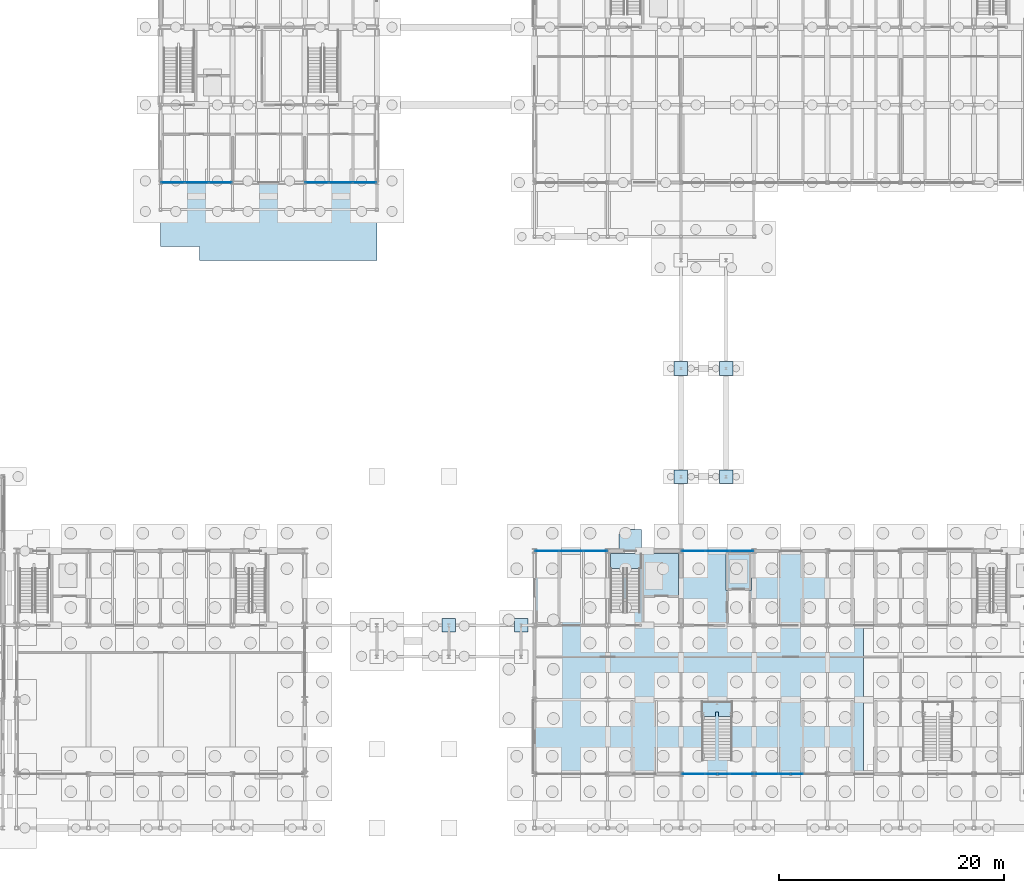
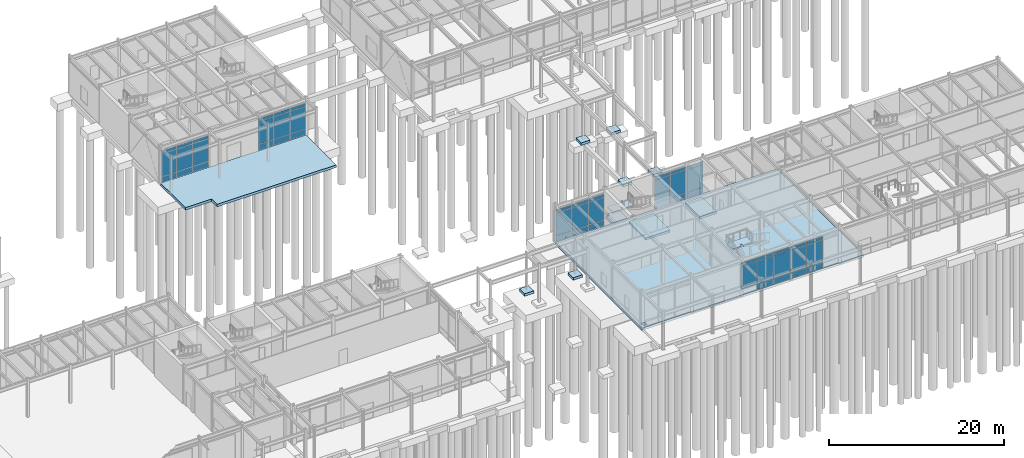
# One storey, part 51 of 82: 50 plates, 13 slabs, 8 elements without a shape of their own.
"""IFC4 building model written with IfcOpenShell, lengths in metres."""

from ifc_helpers import new_model, si_unit, direction, frame, origin, origin_2d, place, context, subcontext, project, spatial, polyline, rectangle, outline, extrude, material, layer, layer_set, type_object, element, aggregate, save


model = new_model("IFC4")

# Units and contexts
model_context = context("Model", 3, precision=1e-05, world=origin(), true_north=direction((0.0, 1.0)))
body_context = subcontext(model_context, "Body", "Model", "MODEL_VIEW")
ifc_project = project(units=[si_unit("LENGTHUNIT", "METRE"), si_unit("AREAUNIT", "SQUARE_METRE"), si_unit("VOLUMEUNIT", "CUBIC_METRE"), si_unit("PLANEANGLEUNIT", "RADIAN"), si_unit("MASSUNIT", "GRAM", prefix="KILO")], contexts=[model_context])

# Site, building, storey
site_placement = place(None, origin())
site = spatial("IfcSite", under=ifc_project, at=site_placement, CompositionType="ELEMENT")
building_placement = place(site_placement, origin())
building = spatial("IfcBuilding", under=site, at=building_placement, Name="Trelmorton Wharf Fire Station", CompositionType="ELEMENT")
storey_placement = place(building_placement, origin())
storey = spatial("IfcBuildingStorey", under=building, at=storey_placement, Name="L00", CompositionType="ELEMENT", Elevation=0.0)

# Curtain wall, plates
ifc_material_1 = material(Name="Anodised aluminium AW-6063", Category="aluminium")
ifc_layer_1 = layer(ifc_material_1, 0.175048828125)
ifc_layer_set_1 = layer_set([ifc_layer_1], Name="Anodised aluminium AW-6063")
curtain_wall_type_1 = type_object("IfcCurtainWallType", Name="CW_CHIC_B", PredefinedType="USERDEFINED", material=ifc_layer_set_1)
curtain_wall_1_placement = place(storey_placement, origin())
curtain_wall_1 = element("IfcCurtainWall", 1, at=curtain_wall_1_placement, inside=storey, type_object=curtain_wall_type_1, Name="CW-V5-L00-031", ObjectType="CHICAGO BAY CURTAIN WALL", PredefinedType="USERDEFINED")
ifc_material_2 = material(Name="Tempered low-E double glazing", Category="glass")
ifc_layer_2 = layer(ifc_material_2, 0.028076171875)
ifc_layer_set_2 = layer_set([ifc_layer_2], Name="Tempered low-E double glazing")
plate_type_1 = type_object("IfcPlateType", Name="CWP_GLAZ_28", PredefinedType="CURTAIN_PANEL", material=ifc_layer_set_2)
plate_1_placement = place(storey_placement, frame((126.75, 7.800048828125, 0.06005859375), z_axis=(0.0, 0.0, 1.0), x_axis=(-1.0, 0.0, 0.0)))
plate_1 = element("IfcPlate", 2, at=plate_1_placement, type_object=plate_type_1, Name="CW2 panel 2.1", PredefinedType="CURTAIN_PANEL", context=body_context, shape_type="SweptSolid", body=[
    extrude(rectangle(XDim=2.103271484375, YDim=0.028076171875, at=origin_2d()), origin(), (0.0, 0.0, 1.0), 0.760009765625),
])
plate_2_placement = place(storey_placement, frame((126.75, 7.800048828125, 0.8798828125), z_axis=(0.0, 0.0, 1.0), x_axis=(-1.0, 0.0, 0.0)))
plate_2 = element("IfcPlate", 3, at=plate_2_placement, type_object=plate_type_1, Name="CW2 panel 2.2", PredefinedType="CURTAIN_PANEL", context=body_context, shape_type="SweptSolid", body=[
    extrude(rectangle(XDim=2.103271484375, YDim=0.028076171875, at=origin_2d()), origin(), (0.0, 0.0, 1.0), 3.110107421875),
])
plate_3_placement = place(storey_placement, frame((126.75, 7.800048828125, 4.0498046875), z_axis=(0.0, 0.0, 1.0), x_axis=(-1.0, 0.0, 0.0)))
plate_3 = element("IfcPlate", 4, at=plate_3_placement, type_object=plate_type_1, Name="CW2 panel 2.3", PredefinedType="CURTAIN_PANEL", context=body_context, shape_type="SweptSolid", body=[
    extrude(rectangle(XDim=2.103271484375, YDim=0.028076171875, at=origin_2d()), origin(), (0.0, 0.0, 1.0), 0.409912109375),
])
plate_4_placement = place(storey_placement, frame((124.6015625, 7.800048828125, 0.06005859375), z_axis=(0.0, 0.0, 1.0), x_axis=(-1.0, 0.0, 0.0)))
plate_4 = element("IfcPlate", 5, at=plate_4_placement, type_object=plate_type_1, Name="CW2 panel 3.1", PredefinedType="CURTAIN_PANEL", context=body_context, shape_type="SweptSolid", body=[
    extrude(rectangle(XDim=2.0732421875, YDim=0.028076171875, at=origin_2d()), origin(), (0.0, 0.0, 1.0), 0.760009765625),
])
plate_5_placement = place(storey_placement, frame((124.6015625, 7.800048828125, 0.8798828125), z_axis=(0.0, 0.0, 1.0), x_axis=(-1.0, 0.0, 0.0)))
plate_5 = element("IfcPlate", 6, at=plate_5_placement, type_object=plate_type_1, Name="CW2 panel 3.2", PredefinedType="CURTAIN_PANEL", context=body_context, shape_type="SweptSolid", body=[
    extrude(rectangle(XDim=2.0732421875, YDim=0.028076171875, at=origin_2d()), origin(), (0.0, 0.0, 1.0), 3.110107421875),
])
plate_6_placement = place(storey_placement, frame((124.6015625, 7.800048828125, 4.0498046875), z_axis=(0.0, 0.0, 1.0), x_axis=(-1.0, 0.0, 0.0)))
plate_6 = element("IfcPlate", 7, at=plate_6_placement, type_object=plate_type_1, Name="CW2 panel 3.3", PredefinedType="CURTAIN_PANEL", context=body_context, shape_type="SweptSolid", body=[
    extrude(rectangle(XDim=2.0732421875, YDim=0.028076171875, at=origin_2d()), origin(), (0.0, 0.0, 1.0), 0.409912109375),
])
aggregate(curtain_wall_1, [plate_1, plate_2, plate_3, plate_4, plate_5, plate_6])

ifc_layer_3 = layer(ifc_material_1, 0.14990234375)
ifc_layer_set_3 = layer_set([ifc_layer_3], Name="Anodised aluminium AW-6063")
curtain_wall_type_2 = type_object("IfcCurtainWallType", Name="CW_UNIT_A", PredefinedType="USERDEFINED", material=ifc_layer_set_3)
curtain_wall_2_placement = place(storey_placement, origin())
curtain_wall_2 = element("IfcCurtainWall", 8, at=curtain_wall_2_placement, inside=storey, type_object=curtain_wall_type_2, Name="CW-V5-L00-035", ObjectType="UNITISED CURTAIN WALL", PredefinedType="USERDEFINED")
plate_7_placement = place(storey_placement, frame((105.1015625, 27.60009765625, 0.06005859375), z_axis=(0.0, 0.0, 1.0), x_axis=(1.0, 0.0, 0.0)))
plate_7 = element("IfcPlate", 9, at=plate_7_placement, type_object=plate_type_1, Name="CW3 panel 1.1", PredefinedType="CURTAIN_PANEL", context=body_context, shape_type="SweptSolid", body=[
    extrude(rectangle(XDim=2.0732421875, YDim=0.028076171875, at=origin_2d()), origin(), (0.0, 0.0, 1.0), 0.760009765625),
])
plate_8_placement = place(storey_placement, frame((105.1015625, 27.60009765625, 0.8798828125), z_axis=(0.0, 0.0, 1.0), x_axis=(1.0, 0.0, 0.0)))
plate_8 = element("IfcPlate", 10, at=plate_8_placement, type_object=plate_type_1, Name="CW3 panel 1.2", PredefinedType="CURTAIN_PANEL", context=body_context, shape_type="SweptSolid", body=[
    extrude(rectangle(XDim=2.0732421875, YDim=0.028076171875, at=origin_2d()), origin(), (0.0, 0.0, 1.0), 3.110107421875),
])
plate_9_placement = place(storey_placement, frame((105.1015625, 27.60009765625, 4.0498046875), z_axis=(0.0, 0.0, 1.0), x_axis=(1.0, 0.0, 0.0)))
plate_9 = element("IfcPlate", 11, at=plate_9_placement, type_object=plate_type_1, Name="CW3 panel 1.3", PredefinedType="CURTAIN_PANEL", context=body_context, shape_type="SweptSolid", body=[
    extrude(rectangle(XDim=2.0732421875, YDim=0.028076171875, at=origin_2d()), origin(), (0.0, 0.0, 1.0), 0.409912109375),
])
plate_10_placement = place(storey_placement, frame((107.25, 27.60009765625, 0.06005859375), z_axis=(0.0, 0.0, 1.0), x_axis=(1.0, 0.0, 0.0)))
plate_10 = element("IfcPlate", 12, at=plate_10_placement, type_object=plate_type_1, Name="CW3 panel 2.1", PredefinedType="CURTAIN_PANEL", context=body_context, shape_type="SweptSolid", body=[
    extrude(rectangle(XDim=2.103271484375, YDim=0.028076171875, at=origin_2d()), origin(), (0.0, 0.0, 1.0), 0.760009765625),
])
plate_11_placement = place(storey_placement, frame((107.25, 27.60009765625, 0.8798828125), z_axis=(0.0, 0.0, 1.0), x_axis=(1.0, 0.0, 0.0)))
plate_11 = element("IfcPlate", 13, at=plate_11_placement, type_object=plate_type_1, Name="CW3 panel 2.2", PredefinedType="CURTAIN_PANEL", context=body_context, shape_type="SweptSolid", body=[
    extrude(rectangle(XDim=2.103271484375, YDim=0.028076171875, at=origin_2d()), origin(), (0.0, 0.0, 1.0), 3.110107421875),
])
plate_12_placement = place(storey_placement, frame((107.25, 27.60009765625, 4.0498046875), z_axis=(0.0, 0.0, 1.0), x_axis=(1.0, 0.0, 0.0)))
plate_12 = element("IfcPlate", 14, at=plate_12_placement, type_object=plate_type_1, Name="CW3 panel 2.3", PredefinedType="CURTAIN_PANEL", context=body_context, shape_type="SweptSolid", body=[
    extrude(rectangle(XDim=2.103271484375, YDim=0.028076171875, at=origin_2d()), origin(), (0.0, 0.0, 1.0), 0.409912109375),
])
plate_13_placement = place(storey_placement, frame((109.3984375, 27.60009765625, 0.06005859375), z_axis=(0.0, 0.0, 1.0), x_axis=(1.0, 0.0, 0.0)))
plate_13 = element("IfcPlate", 15, at=plate_13_placement, type_object=plate_type_1, Name="CW3 panel 3.1", PredefinedType="CURTAIN_PANEL", context=body_context, shape_type="SweptSolid", body=[
    extrude(rectangle(XDim=2.0732421875, YDim=0.028076171875, at=origin_2d()), origin(), (0.0, 0.0, 1.0), 0.760009765625),
])
plate_14_placement = place(storey_placement, frame((109.3984375, 27.60009765625, 0.8798828125), z_axis=(0.0, 0.0, 1.0), x_axis=(1.0, 0.0, 0.0)))
plate_14 = element("IfcPlate", 16, at=plate_14_placement, type_object=plate_type_1, Name="CW3 panel 3.2", PredefinedType="CURTAIN_PANEL", context=body_context, shape_type="SweptSolid", body=[
    extrude(rectangle(XDim=2.0732421875, YDim=0.028076171875, at=origin_2d()), origin(), (0.0, 0.0, 1.0), 3.110107421875),
])
plate_15_placement = place(storey_placement, frame((109.3984375, 27.60009765625, 4.0498046875), z_axis=(0.0, 0.0, 1.0), x_axis=(1.0, 0.0, 0.0)))
plate_15 = element("IfcPlate", 17, at=plate_15_placement, type_object=plate_type_1, Name="CW3 panel 3.3", PredefinedType="CURTAIN_PANEL", context=body_context, shape_type="SweptSolid", body=[
    extrude(rectangle(XDim=2.0732421875, YDim=0.028076171875, at=origin_2d()), origin(), (0.0, 0.0, 1.0), 0.409912109375),
])
aggregate(curtain_wall_2, [plate_7, plate_8, plate_9, plate_10, plate_11, plate_12, plate_13, plate_14, plate_15])

ifc_layer_4 = layer(ifc_material_1, 0.159912109375)
ifc_layer_set_4 = layer_set([ifc_layer_4], Name="Anodised aluminium AW-6063")
curtain_wall_type_3 = type_object("IfcCurtainWallType", Name="CW_CHIC_A", PredefinedType="USERDEFINED", material=ifc_layer_set_4)
curtain_wall_3_placement = place(storey_placement, origin())
curtain_wall_3 = element("IfcCurtainWall", 18, at=curtain_wall_3_placement, inside=storey, type_object=curtain_wall_type_3, Name="CW-V2-L00-097", ObjectType="CHICAGO BAY CURTAIN WALL", PredefinedType="USERDEFINED")
plate_16_placement = place(storey_placement, frame((76.114990234375, 60.300048828125, 0.06005859375), z_axis=(0.0, 0.0, 1.0), x_axis=(-1.0, 0.0, 0.0)))
plate_16 = element("IfcPlate", 19, at=plate_16_placement, type_object=plate_type_1, Name="CW1 panel 1.1", PredefinedType="CURTAIN_PANEL", context=body_context, shape_type="SweptSolid", body=[
    extrude(rectangle(XDim=2.0400390625, YDim=0.028076171875, at=origin_2d()), origin(), (0.0, 0.0, 1.0), 0.760009765625),
])
plate_17_placement = place(storey_placement, frame((76.114990234375, 60.300048828125, 0.8798828125), z_axis=(0.0, 0.0, 1.0), x_axis=(-1.0, 0.0, 0.0)))
plate_17 = element("IfcPlate", 20, at=plate_17_placement, type_object=plate_type_1, Name="CW1 panel 1.2", PredefinedType="CURTAIN_PANEL", context=body_context, shape_type="SweptSolid", body=[
    extrude(rectangle(XDim=2.0400390625, YDim=0.028076171875, at=origin_2d()), origin(), (0.0, 0.0, 1.0), 3.110107421875),
])
plate_18_placement = place(storey_placement, frame((76.114990234375, 60.300048828125, 4.0498046875), z_axis=(0.0, 0.0, 1.0), x_axis=(-1.0, 0.0, 0.0)))
plate_18 = element("IfcPlate", 21, at=plate_18_placement, type_object=plate_type_1, Name="CW1 panel 1.3", PredefinedType="CURTAIN_PANEL", context=body_context, shape_type="SweptSolid", body=[
    extrude(rectangle(XDim=2.0400390625, YDim=0.028076171875, at=origin_2d()), origin(), (0.0, 0.0, 1.0), 0.409912109375),
])
plate_19_placement = place(storey_placement, frame((74.0, 60.300048828125, 0.06005859375), z_axis=(0.0, 0.0, 1.0), x_axis=(-1.0, 0.0, 0.0)))
plate_19 = element("IfcPlate", 22, at=plate_19_placement, type_object=plate_type_1, Name="CW1 panel 2.1", PredefinedType="CURTAIN_PANEL", context=body_context, shape_type="SweptSolid", body=[
    extrude(rectangle(XDim=2.070068359375, YDim=0.028076171875, at=origin_2d()), origin(), (0.0, 0.0, 1.0), 0.760009765625),
])
plate_20_placement = place(storey_placement, frame((74.0, 60.300048828125, 0.8798828125), z_axis=(0.0, 0.0, 1.0), x_axis=(-1.0, 0.0, 0.0)))
plate_20 = element("IfcPlate", 23, at=plate_20_placement, type_object=plate_type_1, Name="CW1 panel 2.2", PredefinedType="CURTAIN_PANEL", context=body_context, shape_type="SweptSolid", body=[
    extrude(rectangle(XDim=2.070068359375, YDim=0.028076171875, at=origin_2d()), origin(), (0.0, 0.0, 1.0), 3.110107421875),
])
plate_21_placement = place(storey_placement, frame((74.0, 60.300048828125, 4.0498046875), z_axis=(0.0, 0.0, 1.0), x_axis=(-1.0, 0.0, 0.0)))
plate_21 = element("IfcPlate", 24, at=plate_21_placement, type_object=plate_type_1, Name="CW1 panel 2.3", PredefinedType="CURTAIN_PANEL", context=body_context, shape_type="SweptSolid", body=[
    extrude(rectangle(XDim=2.070068359375, YDim=0.028076171875, at=origin_2d()), origin(), (0.0, 0.0, 1.0), 0.409912109375),
])
plate_22_placement = place(storey_placement, frame((71.885009765625, 60.300048828125, 0.06005859375), z_axis=(0.0, 0.0, 1.0), x_axis=(-1.0, 0.0, 0.0)))
plate_22 = element("IfcPlate", 25, at=plate_22_placement, type_object=plate_type_1, Name="CW1 panel 3.1", PredefinedType="CURTAIN_PANEL", context=body_context, shape_type="SweptSolid", body=[
    extrude(rectangle(XDim=2.0400390625, YDim=0.028076171875, at=origin_2d()), origin(), (0.0, 0.0, 1.0), 0.760009765625),
])
plate_23_placement = place(storey_placement, frame((71.885009765625, 60.300048828125, 0.8798828125), z_axis=(0.0, 0.0, 1.0), x_axis=(-1.0, 0.0, 0.0)))
plate_23 = element("IfcPlate", 26, at=plate_23_placement, type_object=plate_type_1, Name="CW1 panel 3.2", PredefinedType="CURTAIN_PANEL", context=body_context, shape_type="SweptSolid", body=[
    extrude(rectangle(XDim=2.0400390625, YDim=0.028076171875, at=origin_2d()), origin(), (0.0, 0.0, 1.0), 3.110107421875),
])
plate_24_placement = place(storey_placement, frame((71.885009765625, 60.300048828125, 4.0498046875), z_axis=(0.0, 0.0, 1.0), x_axis=(-1.0, 0.0, 0.0)))
plate_24 = element("IfcPlate", 27, at=plate_24_placement, type_object=plate_type_1, Name="CW1 panel 3.3", PredefinedType="CURTAIN_PANEL", context=body_context, shape_type="SweptSolid", body=[
    extrude(rectangle(XDim=2.0400390625, YDim=0.028076171875, at=origin_2d()), origin(), (0.0, 0.0, 1.0), 0.409912109375),
])
aggregate(curtain_wall_3, [plate_16, plate_17, plate_18, plate_19, plate_20, plate_21, plate_22, plate_23, plate_24])

curtain_wall_4_placement = place(storey_placement, origin())
curtain_wall_4 = element("IfcCurtainWall", 28, at=curtain_wall_4_placement, inside=storey, type_object=curtain_wall_type_3, Name="CW-V2-L00-098", ObjectType="CHICAGO BAY CURTAIN WALL", PredefinedType="USERDEFINED")
plate_25_placement = place(storey_placement, frame((88.9150390625, 60.300048828125, 0.06005859375), z_axis=(0.0, 0.0, 1.0), x_axis=(-1.0, 0.0, 0.0)))
plate_25 = element("IfcPlate", 29, at=plate_25_placement, type_object=plate_type_1, Name="CW1 panel 1.1", PredefinedType="CURTAIN_PANEL", context=body_context, shape_type="SweptSolid", body=[
    extrude(rectangle(XDim=2.0400390625, YDim=0.028076171875, at=origin_2d()), origin(), (0.0, 0.0, 1.0), 0.760009765625),
])
plate_26_placement = place(storey_placement, frame((88.9150390625, 60.300048828125, 0.8798828125), z_axis=(0.0, 0.0, 1.0), x_axis=(-1.0, 0.0, 0.0)))
plate_26 = element("IfcPlate", 30, at=plate_26_placement, type_object=plate_type_1, Name="CW1 panel 1.2", PredefinedType="CURTAIN_PANEL", context=body_context, shape_type="SweptSolid", body=[
    extrude(rectangle(XDim=2.0400390625, YDim=0.028076171875, at=origin_2d()), origin(), (0.0, 0.0, 1.0), 3.110107421875),
])
plate_27_placement = place(storey_placement, frame((88.9150390625, 60.300048828125, 4.0498046875), z_axis=(0.0, 0.0, 1.0), x_axis=(-1.0, 0.0, 0.0)))
plate_27 = element("IfcPlate", 31, at=plate_27_placement, type_object=plate_type_1, Name="CW1 panel 1.3", PredefinedType="CURTAIN_PANEL", context=body_context, shape_type="SweptSolid", body=[
    extrude(rectangle(XDim=2.0400390625, YDim=0.028076171875, at=origin_2d()), origin(), (0.0, 0.0, 1.0), 0.409912109375),
])
plate_28_placement = place(storey_placement, frame((86.800048828125, 60.300048828125, 0.06005859375), z_axis=(0.0, 0.0, 1.0), x_axis=(-1.0, 0.0, 0.0)))
plate_28 = element("IfcPlate", 32, at=plate_28_placement, type_object=plate_type_1, Name="CW1 panel 2.1", PredefinedType="CURTAIN_PANEL", context=body_context, shape_type="SweptSolid", body=[
    extrude(rectangle(XDim=2.070068359375, YDim=0.028076171875, at=origin_2d()), origin(), (0.0, 0.0, 1.0), 0.760009765625),
])
plate_29_placement = place(storey_placement, frame((86.800048828125, 60.300048828125, 0.8798828125), z_axis=(0.0, 0.0, 1.0), x_axis=(-1.0, 0.0, 0.0)))
plate_29 = element("IfcPlate", 33, at=plate_29_placement, type_object=plate_type_1, Name="CW1 panel 2.2", PredefinedType="CURTAIN_PANEL", context=body_context, shape_type="SweptSolid", body=[
    extrude(rectangle(XDim=2.070068359375, YDim=0.028076171875, at=origin_2d()), origin(), (0.0, 0.0, 1.0), 3.110107421875),
])
plate_30_placement = place(storey_placement, frame((86.800048828125, 60.300048828125, 4.0498046875), z_axis=(0.0, 0.0, 1.0), x_axis=(-1.0, 0.0, 0.0)))
plate_30 = element("IfcPlate", 34, at=plate_30_placement, type_object=plate_type_1, Name="CW1 panel 2.3", PredefinedType="CURTAIN_PANEL", context=body_context, shape_type="SweptSolid", body=[
    extrude(rectangle(XDim=2.070068359375, YDim=0.028076171875, at=origin_2d()), origin(), (0.0, 0.0, 1.0), 0.409912109375),
])
plate_31_placement = place(storey_placement, frame((84.68505859375, 60.300048828125, 0.06005859375), z_axis=(0.0, 0.0, 1.0), x_axis=(-1.0, 0.0, 0.0)))
plate_31 = element("IfcPlate", 35, at=plate_31_placement, type_object=plate_type_1, Name="CW1 panel 3.1", PredefinedType="CURTAIN_PANEL", context=body_context, shape_type="SweptSolid", body=[
    extrude(rectangle(XDim=2.0400390625, YDim=0.028076171875, at=origin_2d()), origin(), (0.0, 0.0, 1.0), 0.760009765625),
])
plate_32_placement = place(storey_placement, frame((84.68505859375, 60.300048828125, 0.8798828125), z_axis=(0.0, 0.0, 1.0), x_axis=(-1.0, 0.0, 0.0)))
plate_32 = element("IfcPlate", 36, at=plate_32_placement, type_object=plate_type_1, Name="CW1 panel 3.2", PredefinedType="CURTAIN_PANEL", context=body_context, shape_type="SweptSolid", body=[
    extrude(rectangle(XDim=2.0400390625, YDim=0.028076171875, at=origin_2d()), origin(), (0.0, 0.0, 1.0), 3.110107421875),
])
plate_33_placement = place(storey_placement, frame((84.68505859375, 60.300048828125, 4.0498046875), z_axis=(0.0, 0.0, 1.0), x_axis=(-1.0, 0.0, 0.0)))
plate_33 = element("IfcPlate", 37, at=plate_33_placement, type_object=plate_type_1, Name="CW1 panel 3.3", PredefinedType="CURTAIN_PANEL", context=body_context, shape_type="SweptSolid", body=[
    extrude(rectangle(XDim=2.0400390625, YDim=0.028076171875, at=origin_2d()), origin(), (0.0, 0.0, 1.0), 0.409912109375),
])
aggregate(curtain_wall_4, [plate_25, plate_26, plate_27, plate_28, plate_29, plate_30, plate_31, plate_32, plate_33])

curtain_wall_5_placement = place(storey_placement, origin())
curtain_wall_5 = element("IfcCurtainWall", 38, at=curtain_wall_5_placement, inside=storey, type_object=curtain_wall_type_3, Name="CW-V5-L00-030", ObjectType="CHICAGO BAY CURTAIN WALL", PredefinedType="USERDEFINED")
ifc_material_3 = material(Name="Ceramic-fritted spandrel glazing", Category="glass")
ifc_layer_5 = layer(ifc_material_3, 0.028076171875)
ifc_layer_set_5 = layer_set([ifc_layer_5], Name="Ceramic-fritted spandrel glazing")
plate_type_2 = type_object("IfcPlateType", Name="CWP_SPAN_48", PredefinedType="CURTAIN_PANEL", material=ifc_layer_set_5)
plate_34_placement = place(storey_placement, frame((122.3984375, 7.800048828125, 0.06005859375), z_axis=(0.0, 0.0, 1.0), x_axis=(-1.0, 0.0, 0.0)))
plate_34 = element("IfcPlate", 39, at=plate_34_placement, type_object=plate_type_2, Name="CW1 panel 1.1", PredefinedType="CURTAIN_PANEL", context=body_context, shape_type="SweptSolid", body=[
    extrude(rectangle(XDim=2.0732421875, YDim=0.028076171875, at=origin_2d()), origin(), (0.0, 0.0, 1.0), 0.760009765625),
])
plate_35_placement = place(storey_placement, frame((122.3984375, 7.800048828125, 0.8798828125), z_axis=(0.0, 0.0, 1.0), x_axis=(-1.0, 0.0, 0.0)))
plate_35 = element("IfcPlate", 40, at=plate_35_placement, type_object=plate_type_2, Name="CW1 panel 1.2", PredefinedType="CURTAIN_PANEL", context=body_context, shape_type="SweptSolid", body=[
    extrude(rectangle(XDim=2.0732421875, YDim=0.028076171875, at=origin_2d()), origin(), (0.0, 0.0, 1.0), 3.110107421875),
])
plate_36_placement = place(storey_placement, frame((122.3984375, 7.800048828125, 4.0498046875), z_axis=(0.0, 0.0, 1.0), x_axis=(-1.0, 0.0, 0.0)))
plate_36 = element("IfcPlate", 41, at=plate_36_placement, type_object=plate_type_2, Name="CW1 panel 1.3", PredefinedType="CURTAIN_PANEL", context=body_context, shape_type="SweptSolid", body=[
    extrude(rectangle(XDim=2.0732421875, YDim=0.028076171875, at=origin_2d()), origin(), (0.0, 0.0, 1.0), 0.409912109375),
])
plate_37_placement = place(storey_placement, frame((120.25, 7.800048828125, 0.06005859375), z_axis=(0.0, 0.0, 1.0), x_axis=(-1.0, 0.0, 0.0)))
plate_37 = element("IfcPlate", 42, at=plate_37_placement, type_object=plate_type_2, Name="CW1 panel 2.1", PredefinedType="CURTAIN_PANEL", context=body_context, shape_type="SweptSolid", body=[
    extrude(rectangle(XDim=2.103271484375, YDim=0.028076171875, at=origin_2d()), origin(), (0.0, 0.0, 1.0), 0.760009765625),
])
plate_38_placement = place(storey_placement, frame((120.25, 7.800048828125, 0.8798828125), z_axis=(0.0, 0.0, 1.0), x_axis=(-1.0, 0.0, 0.0)))
plate_38 = element("IfcPlate", 43, at=plate_38_placement, type_object=plate_type_2, Name="CW1 panel 2.2", PredefinedType="CURTAIN_PANEL", context=body_context, shape_type="SweptSolid", body=[
    extrude(rectangle(XDim=2.103271484375, YDim=0.028076171875, at=origin_2d()), origin(), (0.0, 0.0, 1.0), 3.110107421875),
])
plate_39_placement = place(storey_placement, frame((120.25, 7.800048828125, 4.0498046875), z_axis=(0.0, 0.0, 1.0), x_axis=(-1.0, 0.0, 0.0)))
plate_39 = element("IfcPlate", 44, at=plate_39_placement, type_object=plate_type_2, Name="CW1 panel 2.3", PredefinedType="CURTAIN_PANEL", context=body_context, shape_type="SweptSolid", body=[
    extrude(rectangle(XDim=2.103271484375, YDim=0.028076171875, at=origin_2d()), origin(), (0.0, 0.0, 1.0), 0.409912109375),
])
plate_40_placement = place(storey_placement, frame((118.1015625, 7.800048828125, 0.8798828125), z_axis=(0.0, 0.0, 1.0), x_axis=(-1.0, 0.0, 0.0)))
plate_40 = element("IfcPlate", 45, at=plate_40_placement, type_object=plate_type_2, Name="CW1 panel 3.2", PredefinedType="CURTAIN_PANEL", context=body_context, shape_type="SweptSolid", body=[
    extrude(rectangle(XDim=2.0732421875, YDim=0.028076171875, at=origin_2d()), origin(), (0.0, 0.0, 1.0), 3.110107421875),
])
plate_41_placement = place(storey_placement, frame((118.1015625, 7.800048828125, 4.0498046875), z_axis=(0.0, 0.0, 1.0), x_axis=(-1.0, 0.0, 0.0)))
plate_41 = element("IfcPlate", 46, at=plate_41_placement, type_object=plate_type_2, Name="CW1 panel 3.3", PredefinedType="CURTAIN_PANEL", context=body_context, shape_type="SweptSolid", body=[
    extrude(rectangle(XDim=2.0732421875, YDim=0.028076171875, at=origin_2d()), origin(), (0.0, 0.0, 1.0), 0.409912109375),
])
aggregate(curtain_wall_5, [plate_34, plate_35, plate_36, plate_37, plate_38, plate_39, plate_40, plate_41])

curtain_wall_6_placement = place(storey_placement, origin())
curtain_wall_6 = element("IfcCurtainWall", 47, at=curtain_wall_6_placement, inside=storey, type_object=curtain_wall_type_2, Name="CW-V5-L00-036", ObjectType="UNITISED CURTAIN WALL", PredefinedType="USERDEFINED")
plate_42_placement = place(storey_placement, frame((118.1015625, 27.60009765625, 0.06005859375), z_axis=(0.0, 0.0, 1.0), x_axis=(1.0, 0.0, 0.0)))
plate_42 = element("IfcPlate", 48, at=plate_42_placement, type_object=plate_type_2, Name="CW3 panel 1.1", PredefinedType="CURTAIN_PANEL", context=body_context, shape_type="SweptSolid", body=[
    extrude(rectangle(XDim=2.0732421875, YDim=0.028076171875, at=origin_2d()), origin(), (0.0, 0.0, 1.0), 0.760009765625),
])
plate_43_placement = place(storey_placement, frame((118.1015625, 27.60009765625, 0.8798828125), z_axis=(0.0, 0.0, 1.0), x_axis=(1.0, 0.0, 0.0)))
plate_43 = element("IfcPlate", 49, at=plate_43_placement, type_object=plate_type_2, Name="CW3 panel 1.2", PredefinedType="CURTAIN_PANEL", context=body_context, shape_type="SweptSolid", body=[
    extrude(rectangle(XDim=2.0732421875, YDim=0.028076171875, at=origin_2d()), origin(), (0.0, 0.0, 1.0), 3.110107421875),
])
plate_44_placement = place(storey_placement, frame((118.1015625, 27.60009765625, 4.0498046875), z_axis=(0.0, 0.0, 1.0), x_axis=(1.0, 0.0, 0.0)))
plate_44 = element("IfcPlate", 50, at=plate_44_placement, type_object=plate_type_2, Name="CW3 panel 1.3", PredefinedType="CURTAIN_PANEL", context=body_context, shape_type="SweptSolid", body=[
    extrude(rectangle(XDim=2.0732421875, YDim=0.028076171875, at=origin_2d()), origin(), (0.0, 0.0, 1.0), 0.409912109375),
])
plate_45_placement = place(storey_placement, frame((120.25, 27.60009765625, 0.06005859375), z_axis=(0.0, 0.0, 1.0), x_axis=(1.0, 0.0, 0.0)))
plate_45 = element("IfcPlate", 51, at=plate_45_placement, type_object=plate_type_2, Name="CW3 panel 2.1", PredefinedType="CURTAIN_PANEL", context=body_context, shape_type="SweptSolid", body=[
    extrude(rectangle(XDim=2.103271484375, YDim=0.028076171875, at=origin_2d()), origin(), (0.0, 0.0, 1.0), 0.760009765625),
])
plate_46_placement = place(storey_placement, frame((120.25, 27.60009765625, 0.8798828125), z_axis=(0.0, 0.0, 1.0), x_axis=(1.0, 0.0, 0.0)))
plate_46 = element("IfcPlate", 52, at=plate_46_placement, type_object=plate_type_2, Name="CW3 panel 2.2", PredefinedType="CURTAIN_PANEL", context=body_context, shape_type="SweptSolid", body=[
    extrude(rectangle(XDim=2.103271484375, YDim=0.028076171875, at=origin_2d()), origin(), (0.0, 0.0, 1.0), 3.110107421875),
])
plate_47_placement = place(storey_placement, frame((120.25, 27.60009765625, 4.0498046875), z_axis=(0.0, 0.0, 1.0), x_axis=(1.0, 0.0, 0.0)))
plate_47 = element("IfcPlate", 53, at=plate_47_placement, type_object=plate_type_2, Name="CW3 panel 2.3", PredefinedType="CURTAIN_PANEL", context=body_context, shape_type="SweptSolid", body=[
    extrude(rectangle(XDim=2.103271484375, YDim=0.028076171875, at=origin_2d()), origin(), (0.0, 0.0, 1.0), 0.409912109375),
])
plate_48_placement = place(storey_placement, frame((122.3984375, 27.60009765625, 0.06005859375), z_axis=(0.0, 0.0, 1.0), x_axis=(1.0, 0.0, 0.0)))
plate_48 = element("IfcPlate", 54, at=plate_48_placement, type_object=plate_type_2, Name="CW3 panel 3.1", PredefinedType="CURTAIN_PANEL", context=body_context, shape_type="SweptSolid", body=[
    extrude(rectangle(XDim=2.0732421875, YDim=0.028076171875, at=origin_2d()), origin(), (0.0, 0.0, 1.0), 0.760009765625),
])
plate_49_placement = place(storey_placement, frame((122.3984375, 27.60009765625, 0.8798828125), z_axis=(0.0, 0.0, 1.0), x_axis=(1.0, 0.0, 0.0)))
plate_49 = element("IfcPlate", 55, at=plate_49_placement, type_object=plate_type_2, Name="CW3 panel 3.2", PredefinedType="CURTAIN_PANEL", context=body_context, shape_type="SweptSolid", body=[
    extrude(rectangle(XDim=2.0732421875, YDim=0.028076171875, at=origin_2d()), origin(), (0.0, 0.0, 1.0), 3.110107421875),
])
plate_50_placement = place(storey_placement, frame((122.3984375, 27.60009765625, 4.0498046875), z_axis=(0.0, 0.0, 1.0), x_axis=(1.0, 0.0, 0.0)))
plate_50 = element("IfcPlate", 56, at=plate_50_placement, type_object=plate_type_2, Name="CW3 panel 3.3", PredefinedType="CURTAIN_PANEL", context=body_context, shape_type="SweptSolid", body=[
    extrude(rectangle(XDim=2.0732421875, YDim=0.028076171875, at=origin_2d()), origin(), (0.0, 0.0, 1.0), 0.409912109375),
])
aggregate(curtain_wall_6, [plate_42, plate_43, plate_44, plate_45, plate_46, plate_47, plate_48, plate_49, plate_50])

# Slabs
ifc_material_4 = material(Name="Concrete 40 MPa", Category="concrete")
ifc_layer_6 = layer(ifc_material_4, 0.35009765625)
ifc_layer_set_6 = layer_set([ifc_layer_6], Name="Concrete 40 MPa")
slab_type_1 = type_object("IfcSlabType", Name="SL_BASE_350", PredefinedType="BASESLAB", material=ifc_layer_set_6)
slab_1_placement = place(storey_placement, frame((0.0, 0.0, -0.35009765625)))
element("IfcSlab", 57, at=slab_1_placement, inside=storey, type_object=slab_type_1, Name="SL-V5-L00-013", PredefinedType="BASESLAB", context=body_context, shape_type="SweptSolid", body=[
    extrude(outline(polyline([(133.199951171875, 7.800048828125), (104.0, 7.800048828125), (104.0, 27.60009765625), (133.199951171875, 27.60009765625), (133.199951171875, 7.800048828125)]), holes=[polyline([(104.85009765625, 8.64990234375), (104.35009765625, 8.64990234375), (104.35009765625, 8.14990234375), (104.85009765625, 8.14990234375), (104.85009765625, 8.64990234375)])]), origin(), (0.0, 0.0, 1.0), 0.35009765625),
])
slab_2_placement = place(storey_placement, frame((0.0, 0.0, -0.35009765625)))
element("IfcSlab", 58, at=slab_2_placement, inside=storey, type_object=slab_type_1, Name="SL-EXT-V2_DRILL_APRON_L00", PredefinedType="BASESLAB", context=body_context, shape_type="SweptSolid", body=[
    extrude(outline(polyline([(70.800048828125, 60.300048828125), (90.0, 60.300048828125), (90.0, 53.39990234375), (74.256103515625, 53.39990234375), (74.256103515625, 54.64208984375), (70.800048828125, 54.64208984375), (70.800048828125, 60.300048828125)])), origin(), (0.0, 0.0, 1.0), 0.35009765625),
])
slab_3_placement = place(storey_placement, frame((0.0, 0.0, -0.35009765625)))
element("IfcSlab", 59, at=slab_3_placement, inside=storey, type_object=slab_type_1, Name="SL-PED-G18-210", PredefinedType="BASESLAB", context=body_context, shape_type="SweptSolid", body=[
    extrude(outline(polyline([(97.0, 20.39990234375), (97.0, 21.60009765625), (95.800048828125, 21.60009765625), (95.800048828125, 20.39990234375), (97.0, 20.39990234375)])), origin(), (0.0, 0.0, 1.0), 0.35009765625),
])
slab_4_placement = place(storey_placement, frame((0.0, 0.0, -0.35009765625)))
element("IfcSlab", 60, at=slab_4_placement, inside=storey, type_object=slab_type_1, Name="SL-PED-G19-210", PredefinedType="BASESLAB", context=body_context, shape_type="SweptSolid", body=[
    extrude(outline(polyline([(103.39990234375, 20.39990234375), (103.39990234375, 21.60009765625), (102.199951171875, 21.60009765625), (102.199951171875, 20.39990234375), (103.39990234375, 20.39990234375)])), origin(), (0.0, 0.0, 1.0), 0.35009765625),
])
slab_5_placement = place(storey_placement, frame((0.0, 0.0, -0.35009765625)))
element("IfcSlab", 61, at=slab_5_placement, inside=storey, type_object=slab_type_1, Name="SL-PED-117-342", PredefinedType="BASESLAB", context=body_context, shape_type="SweptSolid", body=[
    extrude(outline(polyline([(117.60009765625, 33.60009765625), (117.60009765625, 34.800048828125), (116.39990234375, 34.800048828125), (116.39990234375, 33.60009765625), (117.60009765625, 33.60009765625)])), origin(), (0.0, 0.0, 1.0), 0.35009765625),
])
slab_6_placement = place(storey_placement, frame((0.0, 0.0, -0.35009765625)))
element("IfcSlab", 62, at=slab_6_placement, inside=storey, type_object=slab_type_1, Name="SL-PED-121-342", PredefinedType="BASESLAB", context=body_context, shape_type="SweptSolid", body=[
    extrude(outline(polyline([(121.60009765625, 33.60009765625), (121.60009765625, 34.800048828125), (120.39990234375, 34.800048828125), (120.39990234375, 33.60009765625), (121.60009765625, 33.60009765625)])), origin(), (0.0, 0.0, 1.0), 0.35009765625),
])
slab_7_placement = place(storey_placement, frame((0.0, 0.0, -0.35009765625)))
element("IfcSlab", 63, at=slab_7_placement, inside=storey, type_object=slab_type_1, Name="SL-PED-117-438", PredefinedType="BASESLAB", context=body_context, shape_type="SweptSolid", body=[
    extrude(outline(polyline([(117.60009765625, 43.199951171875), (117.60009765625, 44.39990234375), (116.39990234375, 44.39990234375), (116.39990234375, 43.199951171875), (117.60009765625, 43.199951171875)])), origin(), (0.0, 0.0, 1.0), 0.35009765625),
])
slab_8_placement = place(storey_placement, frame((0.0, 0.0, -0.35009765625)))
element("IfcSlab", 64, at=slab_8_placement, inside=storey, type_object=slab_type_1, Name="SL-PED-121-438", PredefinedType="BASESLAB", context=body_context, shape_type="SweptSolid", body=[
    extrude(outline(polyline([(121.60009765625, 43.199951171875), (121.60009765625, 44.39990234375), (120.39990234375, 44.39990234375), (120.39990234375, 43.199951171875), (121.60009765625, 43.199951171875)])), origin(), (0.0, 0.0, 1.0), 0.35009765625),
])
slab_9_placement = place(storey_placement, frame((0.0, 0.0, -0.35009765625)))
element("IfcSlab", 65, at=slab_9_placement, inside=storey, type_object=slab_type_1, Name="SL-EXT-EXIT-C3", PredefinedType="BASESLAB", context=body_context, shape_type="SweptSolid", body=[
    extrude(outline(polyline([(113.5, 29.5), (113.5, 27.60009765625), (111.5, 27.60009765625), (111.5, 29.10009765625), (111.949951171875, 29.10009765625), (111.949951171875, 29.5), (113.5, 29.5)])), origin(), (0.0, 0.0, 1.0), 0.35009765625),
])

# Stair, slab
ifc_material_5 = material(Name="Precast concrete 45 MPa", Category="concrete")
stair_type = type_object("IfcStairType", Name="ST_DOG_540", PredefinedType="HALF_TURN_STAIR", material=ifc_material_5)
stair_1_placement = place(storey_placement, origin())
stair_1 = element("IfcStair", 66, at=stair_1_placement, inside=storey, type_object=stair_type, Name="Escape Stair ST4-L00", PredefinedType="HALF_TURN_STAIR")
ifc_layer_7 = layer(ifc_material_5, 0.199951171875)
ifc_layer_set_7 = layer_set([ifc_layer_7], Name="Precast concrete 45 MPa")
slab_type_2 = type_object("IfcSlabType", Name="SL_LAND_180", PredefinedType="LANDING", material=ifc_layer_set_7)
slab_10_placement = place(storey_placement, frame((0.0, 0.0, 2.5)))
slab_10 = element("IfcSlab", 67, at=slab_10_placement, type_object=slab_type_2, Name="ST4-L00 landing 1", PredefinedType="LANDING", context=body_context, shape_type="SweptSolid", body=[
    extrude(outline(polyline([(110.72509765625, 26.06005859375), (111.9599609375, 26.06005859375), (111.9599609375, 26.47998046875), (112.159912109375, 26.47998046875), (112.159912109375, 26.06005859375), (113.5048828125, 26.06005859375), (113.5048828125, 27.375), (110.72509765625, 27.375), (110.72509765625, 26.06005859375)])), origin(), (0.0, 0.0, 1.0), 0.199951171875),
])
aggregate(stair_1, [slab_10])

stair_2_placement = place(storey_placement, origin())
stair_2 = element("IfcStair", 68, at=stair_2_placement, inside=storey, type_object=stair_type, Name="Feature Access Stair STS-04", PredefinedType="HALF_TURN_STAIR")
slab_11_placement = place(storey_placement, frame((0.0, 0.0, 2.5)))
slab_11 = element("IfcSlab", 69, at=slab_11_placement, type_object=slab_type_2, Name="STS-04 landing 1", PredefinedType="LANDING", context=body_context, shape_type="SweptSolid", body=[
    extrude(outline(polyline([(118.840087890625, 12.919921875), (120.080078125, 12.919921875), (120.080078125, 13.300048828125), (120.320068359375, 13.300048828125), (120.320068359375, 12.919921875), (121.56005859375, 12.919921875), (121.56005859375, 14.260009765625), (118.840087890625, 14.260009765625), (118.840087890625, 12.919921875)])), origin(), (0.0, 0.0, 1.0), 0.199951171875),
])
aggregate(stair_2, [slab_11])

# Slabs
ifc_material_6 = material(Name="Concrete 45 MPa", Category="concrete")
ifc_layer_8 = layer(ifc_material_6, 0.320068359375)
ifc_layer_set_8 = layer_set([ifc_layer_8], Name="Concrete 45 MPa")
slab_type_3 = type_object("IfcSlabType", Name="SL_PIT_320", PredefinedType="BASESLAB", material=ifc_layer_set_8)
slab_12_placement = place(storey_placement, frame((0.0, 0.0, -0.669921875)))
element("IfcSlab", 70, at=slab_12_placement, inside=storey, type_object=slab_type_3, Name="SL-PIT-C3", PredefinedType="BASESLAB", context=body_context, shape_type="SweptSolid", body=[
    extrude(outline(polyline([(113.56005859375, 23.5400390625), (116.794921875, 23.5400390625), (116.794921875, 27.39501953125), (113.56005859375, 27.39501953125), (113.56005859375, 23.5400390625)])), origin(), (0.0, 0.0, 1.0), 0.31982421875),
])
slab_13_placement = place(storey_placement, frame((0.0, 0.0, -0.669921875)))
element("IfcSlab", 71, at=slab_13_placement, inside=storey, type_object=slab_type_3, Name="SL-PIT-LF3", PredefinedType="BASESLAB", context=body_context, shape_type="SweptSolid", body=[
    extrude(outline(polyline([(121.0, 24.090087890625), (123.239990234375, 24.090087890625), (123.239990234375, 27.449951171875), (121.0, 27.449951171875), (121.0, 24.090087890625)])), origin(), (0.0, 0.0, 1.0), 0.31982421875),
])

save(model, "model.ifc")
